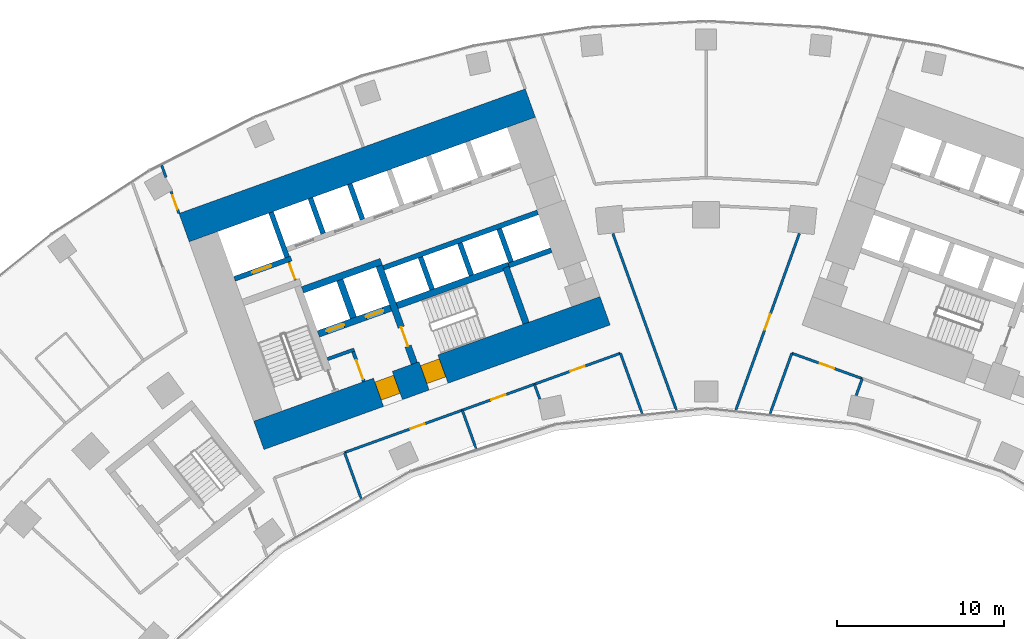
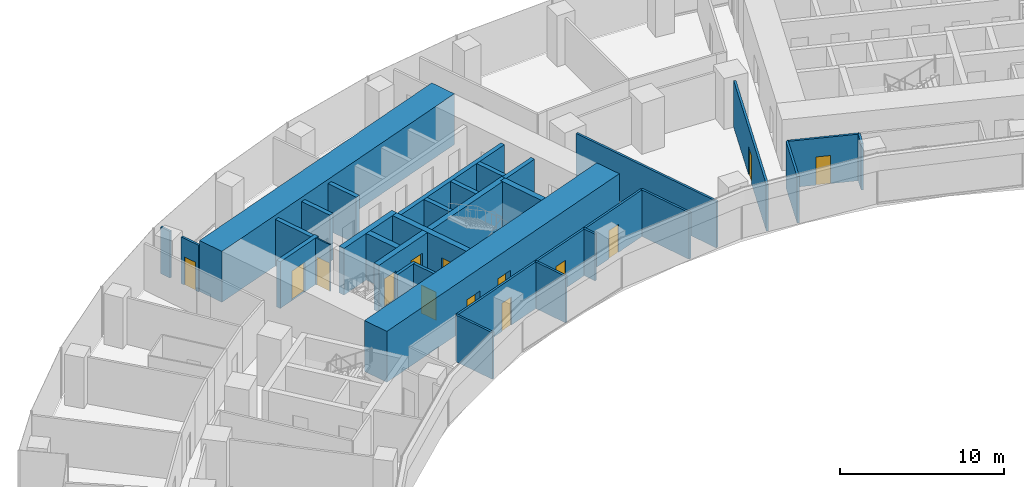
# One storey, part 15 of 21: 33 walls, 14 doors, 14 openings.
"""IFC4 building model written with IfcOpenShell, lengths in metres."""

from ifc_helpers import new_model, si_unit, direction, frame, frame_2d, origin, place, context, subcontext, project, spatial, rectangle, extrude, material, layer, layer_set, type_object, element, fill, save


model = new_model("IFC4")

# Units and contexts
model_context = context("Model", 3, precision=1e-05, world=origin(), true_north=direction((0.0, 1.0)))
body_context = subcontext(model_context, "Body", "Model", "MODEL_VIEW")
ifc_project = project(units=[si_unit("LENGTHUNIT", "METRE"), si_unit("AREAUNIT", "SQUARE_METRE"), si_unit("VOLUMEUNIT", "CUBIC_METRE"), si_unit("PLANEANGLEUNIT", "RADIAN"), si_unit("MASSUNIT", "GRAM", prefix="KILO")], contexts=[model_context])

# Site, building, storey
site_placement = place(None, origin())
site = spatial("IfcSite", under=ifc_project, at=site_placement, CompositionType="ELEMENT")
building_placement = place(site_placement, origin())
building = spatial("IfcBuilding", under=site, at=building_placement, Name="Stone Belt Terrace Tower", CompositionType="ELEMENT")
storey_placement = place(building_placement, frame((0.0, 0.0, 60.39990234375)))
storey = spatial("IfcBuildingStorey", under=building, at=storey_placement, Name="L14", CompositionType="ELEMENT", Elevation=60.39990234375)

# Wall, opening, door
ifc_material_1 = material(Name="Plasterboard partition")
ifc_layer_1 = layer(ifc_material_1, 0.10009765625)
ifc_layer_set_1 = layer_set([ifc_layer_1], Name="Core partition 100")
wall_type_1 = type_object("IfcWallType", Name="Core partition 100", PredefinedType="PARTITIONING", material=ifc_layer_set_1)
wall_1_placement = place(storey_placement, frame((-24.555908203125, 51.10400390625, 0.0), z_axis=(0.0, 0.0, 1.0), x_axis=(-0.338621735342, 0.94092258999, 0.0)))
wall_1 = element("IfcWall", 1, at=wall_1_placement, inside=storey, type_object=wall_type_1, Name="Core A wall", PredefinedType="PARTITIONING", context=body_context, shape_type="SweptSolid", body=[
    extrude(rectangle(XDim=1.14990234375, YDim=0.10009765625, at=frame_2d((0.574951171875, 0.0))), origin(), (0.0, 0.0, 1.0), 3.47998046875),
])
opening_1_placement = place(wall_1_placement, frame((0.050048828125, 0.0, 0.0)))
opening_1 = element("IfcOpeningElement", 2, at=opening_1_placement, cuts=wall_1, Name="Opening L14-C01", PredefinedType="OPENING", context=body_context, shape_type="SweptSolid", body=[
    extrude(rectangle(XDim=1.0, YDim=2.10009765625, at=frame_2d((0.5, 1.050048828125))), frame((0.0, 0.06005859375, 0.0), z_axis=(0.0, -1.0, 0.0), x_axis=(1.0, 0.0, 0.0)), (0.0, 0.0, 1.0), 0.1201171875),
])
ifc_material_2 = material(Name="Timber door leaf", Category="wood")
door_type_1 = type_object("IfcDoorType", Name="Core room door 1000", OperationType="SINGLE_SWING_LEFT", PredefinedType="DOOR", material=ifc_material_2)
door_1_placement = place(opening_1_placement, origin())
door_1 = element("IfcDoor", 3, at=door_1_placement, inside=storey, type_object=door_type_1, Name="Service lift lobby door core A", OperationType="SINGLE_SWING_RIGHT", OverallHeight=2.10009765625, OverallWidth=1.0, PredefinedType="DOOR", context=body_context, shape_type="SweptSolid", body=[
    extrude(rectangle(XDim=1.0, YDim=2.10009765625, at=frame_2d((0.5, 1.050048828125))), frame((0.0, 0.02490234375, 0.0), z_axis=(0.0, -1.0, 0.0), x_axis=(1.0, 0.0, 0.0)), (0.0, 0.0, 1.0), 0.050048828125),
])
fill(opening_1, door_1)

# Wall, openings, doors
ifc_material_3 = material(Name="Concrete B80", Category="concrete")
ifc_layer_2 = layer(ifc_material_3, 1.800048828125)
ifc_layer_set_2 = layer_set([ifc_layer_2], Name="Core wall 1800 B80")
wall_type_2 = type_object("IfcWallType", Name="Core wall 1800 B80", PredefinedType="SHEAR", material=ifc_layer_set_2)
wall_2_placement = place(storey_placement, frame((-26.739501953125, 41.815673828125, 0.0), z_axis=(0.0, 0.0, 1.0), x_axis=(0.940921642213, 0.338624368902, 0.0)))
wall_2 = element("IfcWall", 4, at=wall_2_placement, inside=storey, type_object=wall_type_2, Name="Core A wall concave L14", PredefinedType="SHEAR", context=body_context, shape_type="SweptSolid", body=[
    extrude(rectangle(XDim=22.0, YDim=1.800048828125, at=frame_2d((11.0, 0.0))), origin(), (0.0, 0.0, 1.0), 3.800048828125),
])
opening_2_placement = place(wall_2_placement, frame((7.60009765625, 0.0, 0.0)))
opening_2 = element("IfcOpeningElement", 5, at=opening_2_placement, cuts=wall_2, Name="Opening L14-C05", PredefinedType="OPENING", context=body_context, shape_type="SweptSolid", body=[
    extrude(rectangle(XDim=1.199951171875, YDim=2.10009765625, at=frame_2d((0.60009765625, 1.050048828125))), frame((0.0, 0.909912109375, 0.0), z_axis=(0.0, -1.0, 0.0), x_axis=(1.0, 0.0, 0.0)), (0.0, 0.0, 1.0), 1.820068359375),
])
opening_3_placement = place(wall_2_placement, frame((10.5, 0.0, 0.0)))
opening_3 = element("IfcOpeningElement", 6, at=opening_3_placement, cuts=wall_2, Name="Opening L14-C07", PredefinedType="OPENING", context=body_context, shape_type="SweptSolid", body=[
    extrude(rectangle(XDim=1.199951171875, YDim=2.10009765625, at=frame_2d((0.60009765625, 1.050048828125))), frame((0.0, 0.909912109375, 0.0), z_axis=(0.0, -1.0, 0.0), x_axis=(1.0, 0.0, 0.0)), (0.0, 0.0, 1.0), 1.820068359375),
])
ifc_material_4 = material(Name="Steel door leaf", Category="steel")
door_type_2 = type_object("IfcDoorType", Name="Fire-fighting lobby door 1200", OperationType="SINGLE_SWING_LEFT", PredefinedType="DOOR", material=ifc_material_4)
door_2_placement = place(opening_2_placement, origin())
door_2 = element("IfcDoor", 7, at=door_2_placement, inside=storey, type_object=door_type_2, Name="Fire-fighting lobby door core A", OperationType="SINGLE_SWING_RIGHT", OverallHeight=2.10009765625, OverallWidth=1.199951171875, PredefinedType="DOOR", context=body_context, shape_type="SweptSolid", body=[
    extrude(rectangle(XDim=1.199951171875, YDim=2.10009765625, at=frame_2d((0.60009765625, 1.050048828125))), frame((0.0, 0.655029296875, 0.0), z_axis=(0.0, -1.0, 0.0), x_axis=(1.0, 0.0, 0.0)), (0.0, 0.0, 1.0), 1.14990234375),
])
fill(opening_2, door_2)
door_type_3 = type_object("IfcDoorType", Name="Stair door 1200", OperationType="SINGLE_SWING_LEFT", PredefinedType="DOOR", material=ifc_material_4)
door_3_placement = place(opening_3_placement, origin())
door_3 = element("IfcDoor", 8, at=door_3_placement, inside=storey, type_object=door_type_3, Name="Stair 2 exit door core A", OperationType="SINGLE_SWING_LEFT", OverallHeight=2.10009765625, OverallWidth=1.199951171875, PredefinedType="DOOR", context=body_context, shape_type="SweptSolid", body=[
    extrude(rectangle(XDim=1.199951171875, YDim=2.10009765625, at=frame_2d((0.60009765625, 1.050048828125))), frame((0.0, 0.655029296875, 0.0), z_axis=(0.0, -1.0, 0.0), x_axis=(1.0, 0.0, 0.0)), (0.0, 0.0, 1.0), 1.14990234375),
])
fill(opening_3, door_3)

# Walls
wall_3_placement = place(storey_placement, frame((-31.20947265625, 54.23583984375, 0.0), z_axis=(0.0, 0.0, 1.0), x_axis=(0.940922914687, 0.338620833112, 0.0)))
element("IfcWall", 9, at=wall_3_placement, inside=storey, type_object=wall_type_2, Name="Core A wall convex L14", PredefinedType="SHEAR", context=body_context, shape_type="SweptSolid", body=[
    extrude(rectangle(XDim=22.000244140625, YDim=1.800048828125, at=frame_2d((11.0, 0.0))), origin(), (0.0, 0.0, 1.0), 3.800048828125),
])
ifc_layer_3 = layer(ifc_material_3, 0.39990234375)
ifc_layer_set_3 = layer_set([ifc_layer_3], Name="Fire-fighting lift shaft wall 400")
wall_type_3 = type_object("IfcWallType", Name="Fire-fighting lift shaft wall 400", PredefinedType="SHEAR", material=ifc_layer_set_3)
wall_4_placement = place(storey_placement, frame((-24.130615234375, 50.512939453125, 0.0), z_axis=(0.0, 0.0, 1.0), x_axis=(0.94091168377, 0.338652038744, 0.0)))
element("IfcWall", 10, at=wall_4_placement, inside=storey, type_object=wall_type_3, Name="Core A wall", PredefinedType="SHEAR", context=body_context, shape_type="SweptSolid", body=[
    extrude(rectangle(XDim=5.000244140625, YDim=0.39990234375, at=frame_2d((2.5, 0.0))), origin(), (0.0, 0.0, 1.0), 3.47998046875),
])
wall_5_placement = place(storey_placement, frame((-21.0859375, 48.845458984375, 0.0), z_axis=(0.0, 0.0, 1.0), x_axis=(-0.338629416206, 0.940919825745, 0.0)))
element("IfcWall", 11, at=wall_5_placement, inside=storey, type_object=wall_type_3, Name="Core A wall", PredefinedType="SHEAR", context=body_context, shape_type="SweptSolid", body=[
    extrude(rectangle(XDim=2.400146484375, YDim=0.39990234375, at=frame_2d((1.2001953125, 0.0))), origin(), (0.0, 0.0, 1.0), 3.47998046875),
])

# Wall, opening, door
ifc_layer_4 = layer(ifc_material_3, 0.300048828125)
ifc_layer_set_4 = layer_set([ifc_layer_4], Name="Lift shaft wall 300")
wall_type_4 = type_object("IfcWallType", Name="Lift shaft wall 300", PredefinedType="SHEAR", material=ifc_layer_set_4)
wall_6_placement = place(storey_placement, frame((-28.195068359375, 51.17578125, 0.0), z_axis=(0.0, 0.0, 1.0), x_axis=(0.940901243567, 0.338681044427, 0.0)))
wall_6 = element("IfcWall", 12, at=wall_6_placement, inside=storey, type_object=wall_type_4, Name="Core A wall", PredefinedType="SHEAR", context=body_context, shape_type="SweptSolid", body=[
    extrude(rectangle(XDim=3.599853515625, YDim=0.300048828125, at=frame_2d((1.7998046875, 0.0))), origin(), (0.0, 0.0, 1.0), 3.47998046875),
])
opening_4_placement = place(wall_6_placement, frame((1.1201171875, 0.0, 0.0)))
opening_4 = element("IfcOpeningElement", 13, at=opening_4_placement, cuts=wall_6, Name="Opening L14-LD09", PredefinedType="OPENING", context=body_context, shape_type="SweptSolid", body=[
    extrude(rectangle(XDim=1.199951171875, YDim=2.199951171875, at=frame_2d((0.60009765625, 1.10009765625))), frame((0.0, 0.159912109375, 0.0), z_axis=(0.0, -1.0, 0.0), x_axis=(1.0, 0.0, 0.0)), (0.0, 0.0, 1.0), 0.320068359375),
])
ifc_material_5 = material(Name="Stainless steel door leaf", Category="steel")
door_type_4 = type_object("IfcDoorType", Name="Landing door 1200", OperationType="SLIDING_TO_LEFT", PredefinedType="DOOR", material=ifc_material_5)
door_4_placement = place(opening_4_placement, origin())
door_4 = element("IfcDoor", 14, at=door_4_placement, inside=storey, type_object=door_type_4, Name="Landing door SV1 core A", OperationType="SLIDING_TO_LEFT", OverallHeight=2.199951171875, OverallWidth=1.199951171875, PredefinedType="DOOR", context=body_context, shape_type="SweptSolid", body=[
    extrude(rectangle(XDim=1.199951171875, YDim=2.199951171875, at=frame_2d((0.60009765625, 1.10009765625))), frame((0.0, 0.02490234375, 0.0), z_axis=(0.0, -1.0, 0.0), x_axis=(1.0, 0.0, 0.0)), (0.0, 0.0, 1.0), 0.050048828125),
])
fill(opening_4, door_4)

# Walls
wall_7_placement = place(storey_placement, frame((-25.046875, 52.46826171875, 0.0), z_axis=(0.0, 0.0, 1.0), x_axis=(-0.338549588058, 0.940948551423, 0.0)))
element("IfcWall", 15, at=wall_7_placement, inside=storey, type_object=wall_type_4, Name="Core A wall", PredefinedType="SHEAR", context=body_context, shape_type="SweptSolid", body=[
    extrude(rectangle(XDim=2.849853515625, YDim=0.300048828125, at=frame_2d((1.4248046875, 0.0))), origin(), (0.0, 0.0, 1.0), 3.47998046875),
])
wall_8_placement = place(storey_placement, frame((-22.897705078125, 53.87939453125, 0.0), z_axis=(0.0, 0.0, 1.0), x_axis=(-0.338535034312, 0.940953787677, 0.0)))
element("IfcWall", 16, at=wall_8_placement, inside=storey, type_object=wall_type_4, Name="Core A wall", PredefinedType="SHEAR", context=body_context, shape_type="SweptSolid", body=[
    extrude(rectangle(XDim=2.25, YDim=0.300048828125, at=frame_2d((1.125, 0.0))), origin(), (0.0, 0.0, 1.0), 3.47998046875),
])
wall_9_placement = place(storey_placement, frame((-19.29052734375, 51.829833984375, 0.0), z_axis=(0.0, 0.0, 1.0), x_axis=(0.940925833398, 0.338612722803, 0.0)))
element("IfcWall", 17, at=wall_9_placement, inside=storey, type_object=wall_type_4, Name="Core A wall", PredefinedType="SHEAR", context=body_context, shape_type="SweptSolid", body=[
    extrude(rectangle(XDim=9.7998046875, YDim=0.300048828125, at=frame_2d((4.89990234375, 0.0))), origin(), (0.0, 0.0, 1.0), 3.47998046875),
])
wall_10_placement = place(storey_placement, frame((-20.54541015625, 54.72607421875, 0.0), z_axis=(0.0, 0.0, 1.0), x_axis=(-0.338569601369, 0.940941350472, 0.0)))
element("IfcWall", 18, at=wall_10_placement, inside=storey, type_object=wall_type_4, Name="Core A wall", PredefinedType="SHEAR", context=body_context, shape_type="SweptSolid", body=[
    extrude(rectangle(XDim=2.249755859375, YDim=0.300048828125, at=frame_2d((1.125, 0.0))), origin(), (0.0, 0.0, 1.0), 3.47998046875),
])
for number, where, z_axis, x_axis, name in (
    (19, (-16.38134765625, 50.53857421875, 0.0), (0.0, 0.0, 1.0), (-0.338681515556, 0.940901073982, 0.0), "Core A wall"),
    (20, (-14.029052734375, 51.38525390625, 0.0), (0.0, 0.0, 1.0), (-0.338681515556, 0.940901073982, 0.0), "Core A wall"),
):
    element("IfcWall", number, at=place(storey_placement, frame(where, z_axis=z_axis, x_axis=x_axis)), inside=storey, type_object=wall_type_4, Name=name, PredefinedType="SHEAR", context=body_context, shape_type="SweptSolid", body=[
        extrude(rectangle(XDim=2.050048828125, YDim=0.300048828125, at=frame_2d((1.02490234375, 0.0))), origin(), (0.0, 0.0, 1.0), 3.47998046875),
    ])
wall_11_placement = place(storey_placement, frame((-11.797119140625, 51.975830078125, 0.0), z_axis=(0.0, 0.0, 1.0), x_axis=(0.940910465161, 0.33865542451, 0.0)))
element("IfcWall", 21, at=wall_11_placement, inside=storey, type_object=wall_type_4, Name="Core A wall", PredefinedType="SHEAR", context=body_context, shape_type="SweptSolid", body=[
    extrude(rectangle(XDim=2.69970703125, YDim=0.300048828125, at=frame_2d((1.349853515625, 0.0))), origin(), (0.0, 0.0, 1.0), 3.47998046875),
])
wall_12_placement = place(storey_placement, frame((-11.659912109375, 52.184814453125, 0.0), z_axis=(0.0, 0.0, 1.0), x_axis=(-0.338670064856, 0.940905195634, 0.0)))
element("IfcWall", 22, at=wall_12_placement, inside=storey, type_object=wall_type_4, Name="Core A wall", PredefinedType="SHEAR", context=body_context, shape_type="SweptSolid", body=[
    extrude(rectangle(XDim=2.099853515625, YDim=0.300048828125, at=frame_2d((1.0498046875, 0.0))), origin(), (0.0, 0.0, 1.0), 3.47998046875),
])
ifc_material_6 = material(Name="Gypsum board partition")
ifc_layer_5 = layer(ifc_material_6, 0.14990234375)
ifc_layer_set_5 = layer_set([ifc_layer_5], Name="PARTITION 150 EI 60")
wall_type_5 = type_object("IfcWallType", Name="PARTITION 150 EI 60", PredefinedType="PARTITIONING", material=ifc_layer_set_5)
wall_13_placement = place(storey_placement, frame((-32.5458984375, 57.947998046875, 0.0), z_axis=(0.0, 0.0, 1.0), x_axis=(0.338960201827, -0.940800712998, 0.0)))
element("IfcWall", 23, at=wall_13_placement, inside=storey, type_object=wall_type_5, Name="L14/wall/i002", PredefinedType="PARTITIONING", context=body_context, shape_type="SweptSolid", body=[
    extrude(rectangle(XDim=0.754150390625, YDim=0.14990234375, at=frame_2d((0.376953125, 0.0))), origin(), (0.0, 0.0, 1.0), 3.47998046875),
])

# Wall, opening, door
wall_14_placement = place(storey_placement, frame((-31.98681640625, 56.39599609375, 0.0), z_axis=(0.0, 0.0, 1.0), x_axis=(0.338861945182, -0.940836107995, 0.0)))
wall_14 = element("IfcWall", 24, at=wall_14_placement, inside=storey, type_object=wall_type_5, Name="L14/wall/i003", PredefinedType="PARTITIONING", context=body_context, shape_type="SweptSolid", body=[
    extrude(rectangle(XDim=1.3955078125, YDim=0.14990234375, at=frame_2d((0.69775390625, 0.0))), origin(), (0.0, 0.0, 1.0), 3.47998046875),
])
opening_5_placement = place(wall_14_placement, frame((0.247802734375, 0.0, 0.0)))
opening_5 = element("IfcOpeningElement", 25, at=opening_5_placement, cuts=wall_14, Name="Opening D-A4-05", PredefinedType="OPENING", context=body_context, shape_type="SweptSolid", body=[
    extrude(rectangle(XDim=0.89990234375, YDim=2.10009765625, at=frame_2d((0.449951171875, 1.050048828125))), frame((0.0, 0.0849609375, 0.0), z_axis=(0.0, -1.0, 0.0), x_axis=(1.0, 0.0, 0.0)), (0.0, 0.0, 1.0), 0.169921875),
])
door_type_5 = type_object("IfcDoorType", Name="OFFICE DOOR 900 X 2100", OperationType="NOTDEFINED", PredefinedType="DOOR", material=ifc_material_2)
door_5_placement = place(opening_5_placement, origin())
door_5 = element("IfcDoor", 26, at=door_5_placement, inside=storey, type_object=door_type_5, Name="L14/door/i05", OperationType="SINGLE_SWING_RIGHT", OverallHeight=2.10009765625, OverallWidth=0.89990234375, PredefinedType="DOOR", context=body_context, shape_type="SweptSolid", body=[
    extrude(rectangle(XDim=0.89990234375, YDim=2.10009765625, at=frame_2d((0.449951171875, 1.050048828125))), frame((0.0, 0.02490234375, 0.0), z_axis=(0.0, -1.0, 0.0), x_axis=(1.0, 0.0, 0.0)), (0.0, 0.0, 1.0), 0.050048828125),
])
fill(opening_5, door_5)

# Walls
wall_15_placement = place(storey_placement, frame((-3.819580078125, 43.0986328125, 0.0), z_axis=(0.0, 0.0, 1.0), x_axis=(-0.338659002829, 0.940909177234, 0.0)))
element("IfcWall", 27, at=wall_15_placement, inside=storey, type_object=wall_type_5, Name="L14/wall/i007", PredefinedType="PARTITIONING", context=body_context, shape_type="SweptSolid", body=[
    extrude(rectangle(XDim=3.8603515625, YDim=0.14990234375, at=frame_2d((1.93017578125, 0.0))), origin(), (0.0, 0.0, 1.0), 3.47998046875),
])
wall_16_placement = place(storey_placement, frame((-5.574951171875, 53.88232421875, 0.0), z_axis=(0.0, 0.0, 1.0), x_axis=(0.338622486498, -0.940922319662, 0.0)))
element("IfcWall", 28, at=wall_16_placement, inside=storey, type_object=wall_type_5, Name="L14/wall/i009", PredefinedType="PARTITIONING", context=body_context, shape_type="SweptSolid", body=[
    extrude(rectangle(XDim=11.232177734375, YDim=0.14990234375, at=frame_2d((5.6162109375, 0.0))), origin(), (0.0, 0.0, 1.0), 3.47998046875),
])

# Wall, opening, door
wall_17_placement = place(storey_placement, frame((-14.572998046875, 43.324951171875, 0.0), z_axis=(0.0, 0.0, 1.0), x_axis=(-0.940921472482, -0.338624840528, 0.0)))
wall_17 = element("IfcWall", 29, at=wall_17_placement, inside=storey, type_object=wall_type_5, Name="L14/wall/i012", PredefinedType="PARTITIONING", context=body_context, shape_type="SweptSolid", body=[
    extrude(rectangle(XDim=7.49169921875, YDim=0.14990234375, at=frame_2d((3.745849609375, 0.0))), origin(), (0.0, 0.0, 1.0), 3.47998046875),
])
opening_6_placement = place(wall_17_placement, frame((2.39697265625, 0.0, 0.0)))
opening_6 = element("IfcOpeningElement", 30, at=opening_6_placement, cuts=wall_17, Name="Opening D-A4-02", PredefinedType="OPENING", context=body_context, shape_type="SweptSolid", body=[
    extrude(rectangle(XDim=0.89990234375, YDim=2.10009765625, at=frame_2d((0.449951171875, 1.050048828125))), frame((0.0, 0.0849609375, 0.0), z_axis=(0.0, -1.0, 0.0), x_axis=(1.0, 0.0, 0.0)), (0.0, 0.0, 1.0), 0.169921875),
])
door_6_placement = place(opening_6_placement, origin())
door_6 = element("IfcDoor", 31, at=door_6_placement, inside=storey, type_object=door_type_5, Name="L14/door/i02", OperationType="SINGLE_SWING_LEFT", OverallHeight=2.10009765625, OverallWidth=0.89990234375, PredefinedType="DOOR", context=body_context, shape_type="SweptSolid", body=[
    extrude(rectangle(XDim=0.89990234375, YDim=2.10009765625, at=frame_2d((0.449951171875, 1.050048828125))), frame((0.0, 0.02490234375, 0.0), z_axis=(0.0, -1.0, 0.0), x_axis=(1.0, 0.0, 0.0)), (0.0, 0.0, 1.0), 0.050048828125),
])
fill(opening_6, door_6)

wall_18_placement = place(storey_placement, frame((-10.259033203125, 44.876953125, 0.0), z_axis=(0.0, 0.0, 1.0), x_axis=(-0.940918547165, -0.338632968862, 0.0)))
wall_18 = element("IfcWall", 32, at=wall_18_placement, inside=storey, type_object=wall_type_5, Name="L14/wall/i013", PredefinedType="PARTITIONING", context=body_context, shape_type="SweptSolid", body=[
    extrude(rectangle(XDim=4.59765625, YDim=0.14990234375, at=frame_2d((2.298828125, 0.0))), origin(), (0.0, 0.0, 1.0), 3.47998046875),
])
opening_7_placement = place(wall_18_placement, frame((1.848876953125, 0.0, 0.0)))
opening_7 = element("IfcOpeningElement", 33, at=opening_7_placement, cuts=wall_18, Name="Opening D-A4-03", PredefinedType="OPENING", context=body_context, shape_type="SweptSolid", body=[
    extrude(rectangle(XDim=0.89990234375, YDim=2.10009765625, at=frame_2d((0.449951171875, 1.050048828125))), frame((0.0, 0.0849609375, 0.0), z_axis=(0.0, -1.0, 0.0), x_axis=(1.0, 0.0, 0.0)), (0.0, 0.0, 1.0), 0.169921875),
])
door_7_placement = place(opening_7_placement, origin())
door_7 = element("IfcDoor", 34, at=door_7_placement, inside=storey, type_object=door_type_5, Name="L14/door/i03", OperationType="SINGLE_SWING_RIGHT", OverallHeight=2.10009765625, OverallWidth=0.89990234375, PredefinedType="DOOR", context=body_context, shape_type="SweptSolid", body=[
    extrude(rectangle(XDim=0.89990234375, YDim=2.10009765625, at=frame_2d((0.449951171875, 1.050048828125))), frame((0.0, 0.02490234375, 0.0), z_axis=(0.0, -1.0, 0.0), x_axis=(1.0, 0.0, 0.0)), (0.0, 0.0, 1.0), 0.050048828125),
])
fill(opening_7, door_7)

wall_19_placement = place(storey_placement, frame((-5.125, 46.72509765625, 0.0), z_axis=(0.0, 0.0, 1.0), x_axis=(-0.940916999512, -0.33863726911, 0.0)))
wall_19 = element("IfcWall", 35, at=wall_19_placement, inside=storey, type_object=wall_type_5, Name="L14/wall/i014", PredefinedType="PARTITIONING", context=body_context, shape_type="SweptSolid", body=[
    extrude(rectangle(XDim=5.46923828125, YDim=0.14990234375, at=frame_2d((2.734619140625, 0.0))), origin(), (0.0, 0.0, 1.0), 3.47998046875),
])
opening_8_placement = place(wall_19_placement, frame((2.28466796875, 0.0, 0.0)))
opening_8 = element("IfcOpeningElement", 36, at=opening_8_placement, cuts=wall_19, Name="Opening D-A4-04", PredefinedType="OPENING", context=body_context, shape_type="SweptSolid", body=[
    extrude(rectangle(XDim=0.89990234375, YDim=2.10009765625, at=frame_2d((0.449951171875, 1.050048828125))), frame((0.0, 0.0849609375, 0.0), z_axis=(0.0, -1.0, 0.0), x_axis=(1.0, 0.0, 0.0)), (0.0, 0.0, 1.0), 0.169921875),
])
door_8_placement = place(opening_8_placement, origin())
door_8 = element("IfcDoor", 37, at=door_8_placement, inside=storey, type_object=door_type_5, Name="L14/door/i04", OperationType="SINGLE_SWING_RIGHT", OverallHeight=2.10009765625, OverallWidth=0.89990234375, PredefinedType="DOOR", context=body_context, shape_type="SweptSolid", body=[
    extrude(rectangle(XDim=0.89990234375, YDim=2.10009765625, at=frame_2d((0.449951171875, 1.050048828125))), frame((0.0, 0.02490234375, 0.0), z_axis=(0.0, -1.0, 0.0), x_axis=(1.0, 0.0, 0.0)), (0.0, 0.0, 1.0), 0.050048828125),
])
fill(opening_8, door_8)

# Walls
wall_20_placement = place(storey_placement, frame((-21.615966796875, 40.7900390625, 0.0), z_axis=(0.0, 0.0, 1.0), x_axis=(0.338556494842, -0.940946066361, 0.0)))
element("IfcWall", 38, at=wall_20_placement, inside=storey, type_object=wall_type_5, Name="L14/wall/i015", PredefinedType="PARTITIONING", context=body_context, shape_type="SweptSolid", body=[
    extrude(rectangle(XDim=2.917724609375, YDim=0.14990234375, at=frame_2d((1.458984375, 0.0))), origin(), (0.0, 0.0, 1.0), 3.47998046875),
])
wall_21_placement = place(storey_placement, frame((-14.5791015625, 43.322998046875, 0.0), z_axis=(0.0, 0.0, 1.0), x_axis=(0.338376794995, -0.94101070377, 0.0)))
element("IfcWall", 39, at=wall_21_placement, inside=storey, type_object=wall_type_5, Name="L14/wall/i016", PredefinedType="PARTITIONING", context=body_context, shape_type="SweptSolid", body=[
    extrude(rectangle(XDim=2.447265625, YDim=0.14990234375, at=frame_2d((1.2236328125, 0.0))), origin(), (0.0, 0.0, 1.0), 3.47998046875),
])
wall_22_placement = place(storey_placement, frame((-10.264892578125, 44.875, 0.0), z_axis=(0.0, 0.0, 1.0), x_axis=(0.33864567214, -0.940913975208, 0.0)))
element("IfcWall", 40, at=wall_22_placement, inside=storey, type_object=wall_type_5, Name="L14/wall/i017", PredefinedType="PARTITIONING", context=body_context, shape_type="SweptSolid", body=[
    extrude(rectangle(XDim=0.937255859375, YDim=0.14990234375, at=frame_2d((0.46875, 0.0))), origin(), (0.0, 0.0, 1.0), 3.47998046875),
])
wall_23_placement = place(storey_placement, frame((5.126953125, 46.73095703125, 0.0), z_axis=(0.0, 0.0, 1.0), x_axis=(-0.338659002829, -0.940909177234, 0.0)))
element("IfcWall", 41, at=wall_23_placement, inside=storey, type_object=wall_type_5, Name="L14/wall/i019", PredefinedType="PARTITIONING", context=body_context, shape_type="SweptSolid", body=[
    extrude(rectangle(XDim=3.8603515625, YDim=0.14990234375, at=frame_2d((1.93017578125, 0.0))), origin(), (0.0, 0.0, 1.0), 3.47998046875),
])

# Wall, opening, door
wall_24_placement = place(storey_placement, frame((1.771484375, 43.313720703125, 0.0), z_axis=(0.0, 0.0, 1.0), x_axis=(0.338622486498, 0.940922319662, 0.0)))
wall_24 = element("IfcWall", 42, at=wall_24_placement, inside=storey, type_object=wall_type_5, Name="L14/wall/i021", PredefinedType="PARTITIONING", context=body_context, shape_type="SweptSolid", body=[
    extrude(rectangle(XDim=11.232177734375, YDim=0.14990234375, at=frame_2d((5.6162109375, 0.0))), origin(), (0.0, 0.0, 1.0), 3.47998046875),
])
opening_9_placement = place(wall_24_placement, frame((5.1162109375, 0.0, 0.0)))
opening_9 = element("IfcOpeningElement", 43, at=opening_9_placement, cuts=wall_24, Name="Opening D-A4-28", PredefinedType="OPENING", context=body_context, shape_type="SweptSolid", body=[
    extrude(rectangle(XDim=1.0, YDim=2.10009765625, at=frame_2d((0.5, 1.050048828125))), frame((0.0, 0.0849609375, 0.0), z_axis=(0.0, -1.0, 0.0), x_axis=(1.0, 0.0, 0.0)), (0.0, 0.0, 1.0), 0.169921875),
])
ifc_material_7 = material(Name="Timber fire door leaf", Category="wood")
door_type_6 = type_object("IfcDoorType", Name="TENANCY ENTRANCE DOOR 1000 X 2100", OperationType="NOTDEFINED", PredefinedType="DOOR", material=ifc_material_7)
door_9_placement = place(opening_9_placement, origin())
door_9 = element("IfcDoor", 44, at=door_9_placement, inside=storey, type_object=door_type_6, Name="L14/door/i28", OperationType="SINGLE_SWING_LEFT", OverallHeight=2.10009765625, OverallWidth=1.0, PredefinedType="DOOR", context=body_context, shape_type="SweptSolid", body=[
    extrude(rectangle(XDim=1.0, YDim=2.10009765625, at=frame_2d((0.5, 1.050048828125))), frame((0.0, 0.02490234375, 0.0), z_axis=(0.0, -1.0, 0.0), x_axis=(1.0, 0.0, 0.0)), (0.0, 0.0, 1.0), 0.050048828125),
])
fill(opening_9, door_9)

wall_25_placement = place(storey_placement, frame((9.341064453125, 45.2080078125, 0.0), z_axis=(0.0, 0.0, 1.0), x_axis=(-0.940911725221, 0.338651923575, 0.0)))
wall_25 = element("IfcWall", 45, at=wall_25_placement, inside=storey, type_object=wall_type_5, Name="L14/wall/i030", PredefinedType="PARTITIONING", context=body_context, shape_type="SweptSolid", body=[
    extrude(rectangle(XDim=4.479736328125, YDim=0.14990234375, at=frame_2d((2.23974609375, 0.0))), origin(), (0.0, 0.0, 1.0), 3.47998046875),
])
opening_10_placement = place(wall_25_placement, frame((1.789794921875, 0.0, 0.0)))
opening_10 = element("IfcOpeningElement", 46, at=opening_10_placement, cuts=wall_25, Name="Opening D-A4-07", PredefinedType="OPENING", context=body_context, shape_type="SweptSolid", body=[
    extrude(rectangle(XDim=0.89990234375, YDim=2.10009765625, at=frame_2d((0.449951171875, 1.050048828125))), frame((0.0, 0.0849609375, 0.0), z_axis=(0.0, -1.0, 0.0), x_axis=(1.0, 0.0, 0.0)), (0.0, 0.0, 1.0), 0.169921875),
])
door_10_placement = place(opening_10_placement, origin())
door_10 = element("IfcDoor", 47, at=door_10_placement, inside=storey, type_object=door_type_5, Name="L14/door/i07", OperationType="SINGLE_SWING_RIGHT", OverallHeight=2.10009765625, OverallWidth=0.89990234375, PredefinedType="DOOR", context=body_context, shape_type="SweptSolid", body=[
    extrude(rectangle(XDim=0.89990234375, YDim=2.10009765625, at=frame_2d((0.449951171875, 1.050048828125))), frame((0.0, 0.02490234375, 0.0), z_axis=(0.0, -1.0, 0.0), x_axis=(1.0, 0.0, 0.0)), (0.0, 0.0, 1.0), 0.050048828125),
])
fill(opening_10, door_10)

# Walls
wall_26_placement = place(storey_placement, frame((9.3349609375, 45.2099609375, 0.0), z_axis=(0.0, 0.0, 1.0), x_axis=(-0.338671110555, -0.940904819243, 0.0)))
element("IfcWall", 48, at=wall_26_placement, inside=storey, type_object=wall_type_5, Name="L14/wall/i035", PredefinedType="PARTITIONING", context=body_context, shape_type="SweptSolid", body=[
    extrude(rectangle(XDim=1.07275390625, YDim=0.14990234375, at=frame_2d((0.536376953125, 0.0))), origin(), (0.0, 0.0, 1.0), 3.47998046875),
])
ifc_material_8 = material(Name="Concrete masonry block", Category="masonry")
ifc_layer_6 = layer(ifc_material_8, 0.199951171875)
ifc_layer_set_6 = layer_set([ifc_layer_6], Name="Rated lobby wall 200")
wall_type_6 = type_object("IfcWallType", Name="Rated lobby wall 200", PredefinedType="PARTITIONING", material=ifc_layer_set_6)
wall_27_placement = place(storey_placement, frame((-22.640625, 46.373046875, 0.0), z_axis=(0.0, 0.0, 1.0), x_axis=(0.940966110313, 0.338500781747, 0.0)))
element("IfcWall", 49, at=wall_27_placement, inside=storey, type_object=wall_type_6, Name="Core A wall", PredefinedType="PARTITIONING", context=body_context, shape_type="SweptSolid", body=[
    extrude(rectangle(XDim=1.699951171875, YDim=0.199951171875, at=frame_2d((0.85009765625, 0.0))), origin(), (0.0, 0.0, 1.0), 3.47998046875),
])

# Wall, opening, door
wall_28_placement = place(storey_placement, frame((-20.4580078125, 45.032958984375, 0.0), z_axis=(0.0, 0.0, 1.0), x_axis=(-0.338573865316, 0.940939816208, 0.0)))
wall_28 = element("IfcWall", 50, at=wall_28_placement, inside=storey, type_object=wall_type_6, Name="Core A wall", PredefinedType="PARTITIONING", context=body_context, shape_type="SweptSolid", body=[
    extrude(rectangle(XDim=1.900146484375, YDim=0.199951171875, at=frame_2d((0.9501953125, 0.0))), origin(), (0.0, 0.0, 1.0), 3.47998046875),
])
opening_11_placement = place(wall_28_placement, frame((0.14990234375, 0.0, 0.0)))
opening_11 = element("IfcOpeningElement", 51, at=opening_11_placement, cuts=wall_28, Name="Opening L14-C04", PredefinedType="OPENING", context=body_context, shape_type="SweptSolid", body=[
    extrude(rectangle(XDim=1.199951171875, YDim=2.10009765625, at=frame_2d((0.60009765625, 1.050048828125))), frame((0.0, 0.10986328125, 0.0), z_axis=(0.0, -1.0, 0.0), x_axis=(1.0, 0.0, 0.0)), (0.0, 0.0, 1.0), 0.219970703125),
])
door_11_placement = place(opening_11_placement, origin())
door_11 = element("IfcDoor", 52, at=door_11_placement, inside=storey, type_object=door_type_3, Name="Stair airlock door core A", OperationType="SINGLE_SWING_RIGHT", OverallHeight=2.10009765625, OverallWidth=1.199951171875, PredefinedType="DOOR", context=body_context, shape_type="SweptSolid", body=[
    extrude(rectangle(XDim=1.199951171875, YDim=2.10009765625, at=frame_2d((0.60009765625, 1.050048828125))), frame((0.0, 0.02490234375, 0.0), z_axis=(0.0, -1.0, 0.0), x_axis=(1.0, 0.0, 0.0)), (0.0, 0.0, 1.0), 0.050048828125),
])
fill(opening_11, door_11)

# Wall, openings, doors
ifc_layer_7 = layer(ifc_material_3, 0.39990234375)
ifc_layer_set_7 = layer_set([ifc_layer_7], Name="Stair enclosure wall 400")
wall_type_7 = type_object("IfcWallType", Name="Stair enclosure wall 400", PredefinedType="SHEAR", material=ifc_layer_set_7)
wall_29_placement = place(storey_placement, frame((-23.182373046875, 47.87841796875, 0.0), z_axis=(0.0, 0.0, 1.0), x_axis=(0.940921101762, 0.338625870628, 0.0)))
wall_29 = element("IfcWall", 53, at=wall_29_placement, inside=storey, type_object=wall_type_7, Name="Core A wall", PredefinedType="SHEAR", context=body_context, shape_type="SweptSolid", body=[
    extrude(rectangle(XDim=12.10009765625, YDim=0.39990234375, at=frame_2d((6.050048828125, 0.0))), origin(), (0.0, 0.0, 1.0), 3.47998046875),
])
opening_12_placement = place(wall_29_placement, frame((0.52001953125, 0.0, 0.0)))
opening_12 = element("IfcOpeningElement", 54, at=opening_12_placement, cuts=wall_29, Name="Opening L14-LD07", PredefinedType="OPENING", context=body_context, shape_type="SweptSolid", body=[
    extrude(rectangle(XDim=1.10009765625, YDim=2.199951171875, at=frame_2d((0.550048828125, 1.10009765625))), frame((0.0, 0.2099609375, 0.0), z_axis=(0.0, -1.0, 0.0), x_axis=(1.0, 0.0, 0.0)), (0.0, 0.0, 1.0), 0.419921875),
])
opening_13_placement = place(wall_29_placement, frame((3.02001953125, 0.0, 0.0)))
opening_13 = element("IfcOpeningElement", 55, at=opening_13_placement, cuts=wall_29, Name="Opening L14-LD08", PredefinedType="OPENING", context=body_context, shape_type="SweptSolid", body=[
    extrude(rectangle(XDim=1.10009765625, YDim=2.199951171875, at=frame_2d((0.550048828125, 1.10009765625))), frame((0.0, 0.2099609375, 0.0), z_axis=(0.0, -1.0, 0.0), x_axis=(1.0, 0.0, 0.0)), (0.0, 0.0, 1.0), 0.419921875),
])
door_type_7 = type_object("IfcDoorType", Name="Landing door 1100", OperationType="SLIDING_TO_LEFT", PredefinedType="DOOR", material=ifc_material_5)
door_12_placement = place(opening_12_placement, origin())
door_12 = element("IfcDoor", 56, at=door_12_placement, inside=storey, type_object=door_type_7, Name="Landing door FF1 core A", OperationType="SLIDING_TO_LEFT", OverallHeight=2.199951171875, OverallWidth=1.10009765625, PredefinedType="DOOR", context=body_context, shape_type="SweptSolid", body=[
    extrude(rectangle(XDim=1.10009765625, YDim=2.199951171875, at=frame_2d((0.550048828125, 1.10009765625))), frame((0.0, 0.02490234375, 0.0), z_axis=(0.0, -1.0, 0.0), x_axis=(1.0, 0.0, 0.0)), (0.0, 0.0, 1.0), 0.050048828125),
])
fill(opening_12, door_12)
door_13_placement = place(opening_13_placement, origin())
door_13 = element("IfcDoor", 57, at=door_13_placement, inside=storey, type_object=door_type_7, Name="Landing door FF2 core A", OperationType="SLIDING_TO_LEFT", OverallHeight=2.199951171875, OverallWidth=1.10009765625, PredefinedType="DOOR", context=body_context, shape_type="SweptSolid", body=[
    extrude(rectangle(XDim=1.10009765625, YDim=2.199951171875, at=frame_2d((0.550048828125, 1.10009765625))), frame((0.0, 0.02490234375, 0.0), z_axis=(0.0, -1.0, 0.0), x_axis=(1.0, 0.0, 0.0)), (0.0, 0.0, 1.0), 0.050048828125),
])
fill(opening_13, door_13)

# Wall, opening, door
wall_30_placement = place(storey_placement, frame((-17.447021484375, 46.116455078125, 0.0), z_axis=(0.0, 0.0, 1.0), x_axis=(-0.33860791464, 0.940927563707, 0.0)))
wall_30 = element("IfcWall", 58, at=wall_30_placement, inside=storey, type_object=wall_type_7, Name="Core A wall", PredefinedType="SHEAR", context=body_context, shape_type="SweptSolid", body=[
    extrude(rectangle(XDim=6.199951171875, YDim=0.39990234375, at=frame_2d((3.10009765625, 0.0))), origin(), (0.0, 0.0, 1.0), 3.47998046875),
])
opening_14_placement = place(wall_30_placement, frame((1.10009765625, 0.0, 0.0)))
opening_14 = element("IfcOpeningElement", 59, at=opening_14_placement, cuts=wall_30, Name="Opening L14-C06", PredefinedType="OPENING", context=body_context, shape_type="SweptSolid", body=[
    extrude(rectangle(XDim=1.199951171875, YDim=2.10009765625, at=frame_2d((0.60009765625, 1.050048828125))), frame((0.0, 0.2099609375, 0.0), z_axis=(0.0, -1.0, 0.0), x_axis=(1.0, 0.0, 0.0)), (0.0, 0.0, 1.0), 0.419921875),
])
door_14_placement = place(opening_14_placement, origin())
door_14 = element("IfcDoor", 60, at=door_14_placement, inside=storey, type_object=door_type_3, Name="Stair 2 door core A", OperationType="SINGLE_SWING_RIGHT", OverallHeight=2.10009765625, OverallWidth=1.199951171875, PredefinedType="DOOR", context=body_context, shape_type="SweptSolid", body=[
    extrude(rectangle(XDim=1.199951171875, YDim=2.10009765625, at=frame_2d((0.60009765625, 1.050048828125))), frame((0.0, 0.02490234375, 0.0), z_axis=(0.0, -1.0, 0.0), x_axis=(1.0, 0.0, 0.0)), (0.0, 0.0, 1.0), 0.050048828125),
])
fill(opening_14, door_14)

# Wall
wall_31_placement = place(storey_placement, frame((-10.766357421875, 48.520751953125, 0.0), z_axis=(0.0, 0.0, 1.0), x_axis=(-0.338626928157, 0.94092072117, 0.0)))
element("IfcWall", 61, at=wall_31_placement, inside=storey, type_object=wall_type_7, Name="Core A wall", PredefinedType="SHEAR", context=body_context, shape_type="SweptSolid", body=[
    extrude(rectangle(XDim=3.550048828125, YDim=0.39990234375, at=frame_2d((1.77490234375, 0.0))), origin(), (0.0, 0.0, 1.0), 3.47998046875),
])

save(model, "model.ifc")
